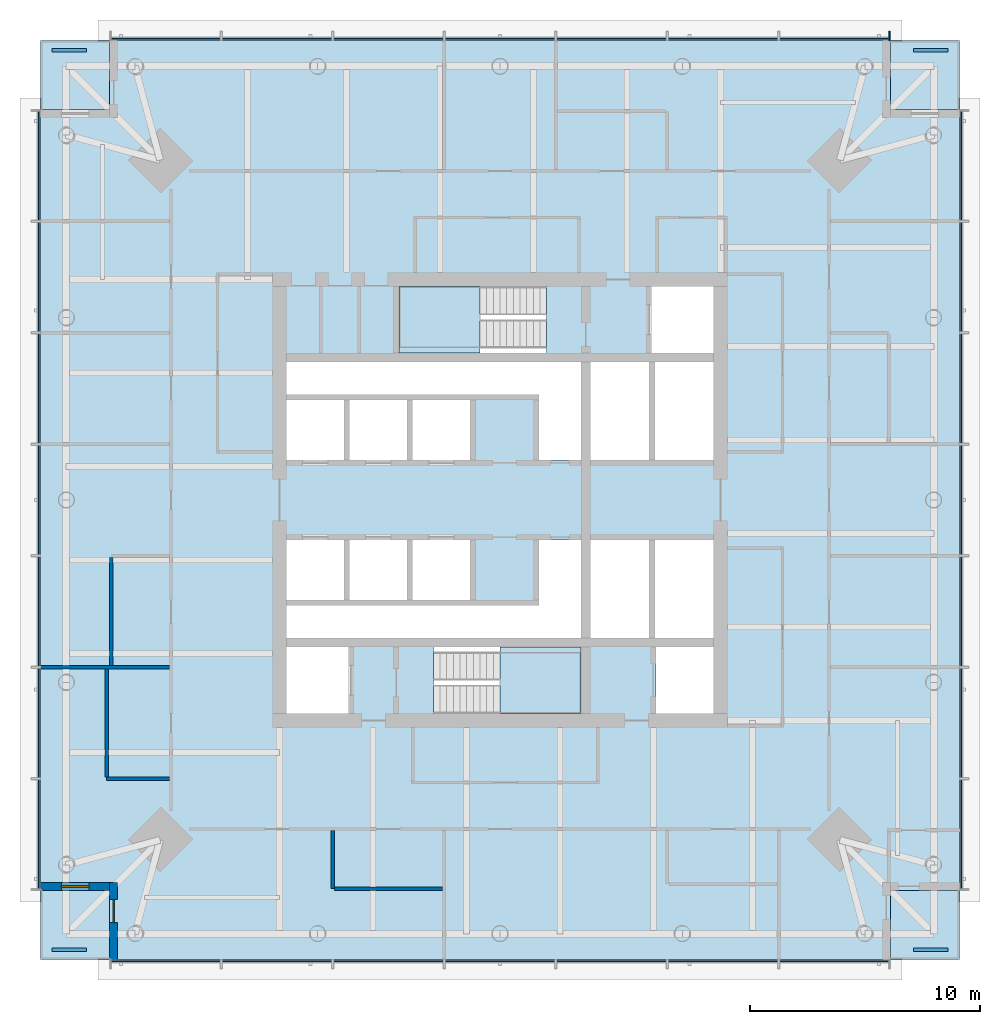
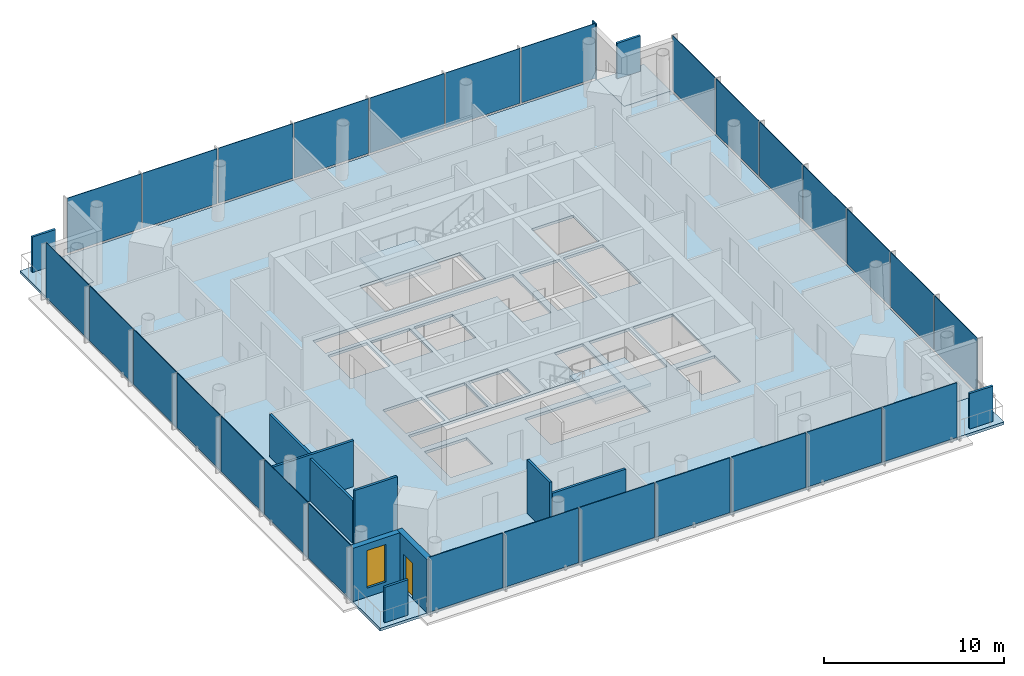
# One storey, part 3 of 10: 32 plates, 8 walls, 7 slabs, 1 door, 1 member, 1 window, 2 openings, 6 elements without a shape of their own.
"""IFC4 building model written with IfcOpenShell, lengths in metres."""

import ifcopenshell
import ifcopenshell.guid

model = None  # the IFC model being written
_history = None  # IfcOwnerHistory: only IFC2X3 demands one
_inside = {}  # id of a spatial element -> (the spatial element, [elements in it])
_under = {}  # id of a project, library or spatial element -> (it, [spatial elements below it])
_declared = {}  # id of a project -> (the project, [libraries it declares])
_typed = {}  # id of a type object -> (the type object, [elements of that type])
_made_of = {}  # id of a material, layer set ... -> (it, [elements and type objects made of it])


def new_model(schema):
    """Start an empty IFC model of exactly this schema.

    Asked for "IFC4X3", IfcOpenShell would pick the latest addendum, in which some entities
    have other attributes; the version numbers below select the first issue.
    IFC2X3 requires an IfcOwnerHistory on every rooted entity: one is made here for all.
    """
    global model, _history
    if schema == "IFC4X3":
        model = ifcopenshell.file(schema_version=(4, 3, 0, 0))
    else:
        model = ifcopenshell.file(schema=schema)
    _inside.clear()
    _under.clear()
    _declared.clear()
    _typed.clear()
    _made_of.clear()
    _history = None
    if model.schema == "IFC2X3":
        org = make("IfcOrganization", Name="unknown")
        user = make(
            "IfcPersonAndOrganization",
            ThePerson=make("IfcPerson", FamilyName="unknown"),
            TheOrganization=org,
        )
        app = make(
            "IfcApplication",
            ApplicationDeveloper=org,
            Version="unknown",
            ApplicationFullName="unknown",
            ApplicationIdentifier="unknown",
        )
        _history = make(
            "IfcOwnerHistory",
            OwningUser=user,
            OwningApplication=app,
            ChangeAction="ADDED",
            CreationDate=0,
        )
    return model


def make(cls, **values):
    """One entity of the class cls with the attributes given. An attribute that is None is left unset."""
    return model.create_entity(
        cls, **{name: value for name, value in values.items() if value is not None}
    )


def rooted(cls, **values):
    """An entity with a GlobalId (a new one), such as an element, a storey or a relation."""
    return make(cls, GlobalId=ifcopenshell.guid.new(), OwnerHistory=_history, **values)


def si_unit(unit_type, name, prefix=None):
    """IfcSIUnit, for example si_unit("LENGTHUNIT", "METRE", prefix="MILLI")."""
    return make("IfcSIUnit", UnitType=unit_type, Prefix=prefix, Name=name)


def assignment(units):
    """IfcUnitAssignment: the units of a project."""
    return None if units is None else make("IfcUnitAssignment", Units=units)


def point(xyz):
    """IfcCartesianPoint."""
    return None if xyz is None else make("IfcCartesianPoint", Coordinates=xyz)


def direction(xyz):
    """IfcDirection."""
    return None if xyz is None else make("IfcDirection", DirectionRatios=xyz)


def frame(location, z_axis=None, x_axis=None):
    """IfcAxis2Placement3D, a coordinate frame: its origin and axes. An axis left out is left unset."""
    return make(
        "IfcAxis2Placement3D",
        Location=point(location),
        Axis=direction(z_axis),
        RefDirection=direction(x_axis),
    )


def frame_2d(location, x_axis=None):
    """IfcAxis2Placement2D, a coordinate frame in the plane: its origin and x axis."""
    return make(
        "IfcAxis2Placement2D", Location=point(location), RefDirection=direction(x_axis)
    )


def origin():
    """The frame at (0, 0, 0) with its axes left unset."""
    return frame((0.0, 0.0, 0.0))


def origin_2d():
    """The frame at (0, 0) in the plane with its x axis left unset."""
    return frame_2d((0.0, 0.0))


def place(relative_to, where):
    """IfcLocalPlacement: puts the frame where relative to a parent placement (None: the world)."""
    return make(
        "IfcLocalPlacement", PlacementRelTo=relative_to, RelativePlacement=where
    )


def context(
    kind, dimensions, precision=None, world=None, true_north=None, identifier=None
):
    """IfcGeometricRepresentationContext, for example the 3D "Model" context."""
    return make(
        "IfcGeometricRepresentationContext",
        ContextIdentifier=identifier,
        ContextType=kind,
        CoordinateSpaceDimension=dimensions,
        Precision=precision,
        WorldCoordinateSystem=world,
        TrueNorth=true_north,
    )


def subcontext(parent, identifier, kind, view, scale=None):
    """IfcGeometricRepresentationSubContext, for example "Body" below "Model"."""
    return make(
        "IfcGeometricRepresentationSubContext",
        ContextIdentifier=identifier,
        ContextType=kind,
        ParentContext=parent,
        TargetScale=scale,
        TargetView=view,
    )


def project(units=None, contexts=None):
    """IfcProject with its units and contexts."""
    return rooted(
        "IfcProject",
        Name="project",
        RepresentationContexts=contexts,
        UnitsInContext=assignment(units),
    )


def spatial(cls, under=None, at=None, **own):
    """A site, building, storey or space (cls), placed at a placement, below another one or the project."""
    s = rooted(cls, ObjectPlacement=at, **own)
    if under is not None:
        _under.setdefault(under.id(), (under, []))[1].append(s)
    return s


def polyline(points):
    """IfcPolyline through the points."""
    return make("IfcPolyline", Points=[point(p) for p in points])


def profile(cls, at=None, kind="AREA", **sizes):
    """A parametric profile (cls). Its sizes go by their IFC names, for example OverallWidth=200.0."""
    return make(cls, ProfileType=kind, Position=at, **sizes)


def rectangle(**sizes):
    """IfcRectangleProfileDef."""
    return profile("IfcRectangleProfileDef", **sizes)


def outline(outer, holes=None, kind="AREA"):
    """IfcArbitraryClosedProfileDef: a profile drawn as a closed curve; with holes, ...WithVoids."""
    if holes is None:
        return make("IfcArbitraryClosedProfileDef", ProfileType=kind, OuterCurve=outer)
    return make(
        "IfcArbitraryProfileDefWithVoids",
        ProfileType=kind,
        OuterCurve=outer,
        InnerCurves=holes,
    )


def extrude(swept, where, along, depth):
    """IfcExtrudedAreaSolid: the profile swept, set in the frame where, extruded along a direction by depth."""
    return make(
        "IfcExtrudedAreaSolid",
        SweptArea=swept,
        Position=where,
        ExtrudedDirection=direction(along),
        Depth=depth,
    )


def shape(context_of_items, identifier, shape_type, items):
    """IfcShapeRepresentation: the items that make up one representation, for example the "Body"."""
    return make(
        "IfcShapeRepresentation",
        ContextOfItems=context_of_items,
        RepresentationIdentifier=identifier,
        RepresentationType=shape_type,
        Items=items,
    )


def material(Name=None, Category=None):
    """IfcMaterial."""
    return make("IfcMaterial", Name=Name, Category=Category)


def layer(
    of_material, thickness, ventilated=None, Name=None, Category=None, Priority=None
):
    """IfcMaterialLayer: one layer of a wall or slab, of a material (None: an air gap)."""
    return make(
        "IfcMaterialLayer",
        Material=of_material,
        LayerThickness=thickness,
        IsVentilated=ventilated,
        Name=Name,
        Category=Category,
        Priority=Priority,
    )


def layer_set(layers, Name=None):
    """IfcMaterialLayerSet."""
    return make("IfcMaterialLayerSet", MaterialLayers=layers, LayerSetName=Name)


def material_profile(
    of_material, cross_section, Name=None, Category=None, Priority=None
):
    """IfcMaterialProfile: a cross section and its material."""
    return make(
        "IfcMaterialProfile",
        Name=Name,
        Material=of_material,
        Profile=cross_section,
        Priority=Priority,
        Category=Category,
    )


def profile_set(profiles, Name=None, composite=None):
    """IfcMaterialProfileSet."""
    return make(
        "IfcMaterialProfileSet",
        Name=Name,
        MaterialProfiles=profiles,
        CompositeProfile=composite,
    )


def made_of(thing, what):
    """Note that an element or type object is made of a material, layer set ...; save() writes the relation."""
    if what is not None:
        _made_of.setdefault(what.id(), (what, []))[1].append(thing)
    return thing


def type_object(cls, material=None, **own):
    """A type object (cls), such as IfcWallType, which elements share."""
    return made_of(rooted(cls, **own), material)


def element(
    cls,
    number,
    at=None,
    inside=None,
    cuts=None,
    type_object=None,
    material=None,
    context=None,
    identifier="Body",
    shape_type=None,
    held_by="IfcProductDefinitionShape",
    body=None,
    shapes=None,
    **own,
):
    """One element of the class cls, such as IfcWall. Its Tag is "e" and its number.

    at: its placement. inside: the storey or other place that contains it. cuts: it is an
    opening in that element (IfcRelVoidsElement). A single representation is given by context,
    identifier, shape_type and body (its items); several are given by shapes. held_by: the class
    of the entity that holds the representations. save() writes the other relations.
    """
    e = rooted(cls, Tag="e%d" % number, ObjectPlacement=at, **own)
    if body is not None:
        shapes = [shape(context, identifier, shape_type, body)]
    if shapes is not None:
        e.Representation = make(held_by, Representations=shapes)
    if inside is not None:
        _inside.setdefault(inside.id(), (inside, []))[1].append(e)
    if cuts is not None:
        rooted(
            "IfcRelVoidsElement", RelatingBuildingElement=cuts, RelatedOpeningElement=e
        )
    if type_object is not None:
        _typed.setdefault(type_object.id(), (type_object, []))[1].append(e)
    return made_of(e, material)


def fill(opening, filler):
    """IfcRelFillsElement: the door or window that sits in an opening."""
    return rooted(
        "IfcRelFillsElement",
        RelatingOpeningElement=opening,
        RelatedBuildingElement=filler,
    )


def aggregate(whole, parts):
    """IfcRelAggregates: a whole, such as a stair, and the parts it consists of."""
    return rooted("IfcRelAggregates", RelatingObject=whole, RelatedObjects=parts)


def save(model, path):
    """Write the relations noted so far, then the file.

    IfcRelAggregates (storeys below a building ...), IfcRelContainedInSpatialStructure (elements
    in a storey), IfcRelDefinesByType, IfcRelAssociatesMaterial and IfcRelDeclares: one each for
    every whole, place, type object, material and project.
    """
    for whole, parts in _under.values():
        aggregate(whole, parts)
    for where, things in _inside.values():
        rooted(
            "IfcRelContainedInSpatialStructure",
            RelatedElements=things,
            RelatingStructure=where,
        )
    for kind, things in _typed.values():
        rooted("IfcRelDefinesByType", RelatedObjects=things, RelatingType=kind)
    for what, things in _made_of.values():
        rooted("IfcRelAssociatesMaterial", RelatedObjects=things, RelatingMaterial=what)
    for by, libraries in _declared.values():
        rooted("IfcRelDeclares", RelatingContext=by, RelatedDefinitions=libraries)
    model.write(path)


model = new_model("IFC4")

# Units and contexts
model_context = context("Model", 3, precision=1e-05, world=origin(), true_north=direction((0.0, 1.0)))
body_context = subcontext(model_context, "Body", "Model", "MODEL_VIEW")
ifc_project = project(units=[si_unit("LENGTHUNIT", "METRE"), si_unit("AREAUNIT", "SQUARE_METRE"), si_unit("VOLUMEUNIT", "CUBIC_METRE"), si_unit("PLANEANGLEUNIT", "RADIAN"), si_unit("MASSUNIT", "GRAM", prefix="KILO")], contexts=[model_context])

# Site, building, storey
site_placement = place(None, origin())
site = spatial("IfcSite", under=ifc_project, at=site_placement, CompositionType="ELEMENT")
building_placement = place(site_placement, origin())
building = spatial("IfcBuilding", under=site, at=building_placement, Name="Ostroluk Exchange", CompositionType="ELEMENT")
storey_placement = place(building_placement, frame((0.0, 0.0, 180.60009765625)))
storey = spatial("IfcBuildingStorey", under=building, at=storey_placement, Name="L46", CompositionType="ELEMENT", Elevation=180.60009765625)

# Curtain wall, member
ifc_material_1 = material(Name="Laminated clear glass", Category="glass")
curtain_wall_type = type_object("IfcCurtainWallType", Name="Office tower facade", PredefinedType="USERDEFINED", material=ifc_material_1)
curtain_wall_1_placement = place(storey_placement, origin())
curtain_wall_1 = element("IfcCurtainWall", 1, at=curtain_wall_1_placement, inside=storey, type_object=curtain_wall_type, Name="Office tower north facade L46", ObjectType="UNITISED CURTAIN WALL", PredefinedType="USERDEFINED")
ifc_material_2 = material(Name="Aluminium mullion with limestone facing", Category="masonry")
ifc_material_profile = material_profile(ifc_material_2, rectangle(XDim=0.39990234375, YDim=0.080078125, at=origin_2d()), Name="Tracery mullion 80 x 400")
ifc_profile_set = profile_set([ifc_material_profile], Name="Aluminium mullion with limestone facing")
member_type = type_object("IfcMemberType", Name="Tracery mullion 80 x 400", PredefinedType="MULLION", material=ifc_profile_set)
member_placement = place(storey_placement, frame((61.9599609375, 66.199951171875, 0.0), z_axis=(0.0, 0.0, 1.0), x_axis=(0.0, -1.0, 0.0)))
member = element("IfcMember", 2, at=member_placement, type_object=member_type, Name="CW-O1 mullion 1", PredefinedType="MULLION", context=body_context, shape_type="SweptSolid", body=[
    extrude(rectangle(XDim=0.39990234375, YDim=0.080078125, at=origin_2d()), origin(), (0.0, 0.0, 1.0), 3.7998046875),
])

# Slabs
ifc_material_3 = material(Name="Concrete C35/45", Category="concrete")
ifc_layer_1 = layer(ifc_material_3, 0.179931640625)
ifc_layer_set_1 = layer_set([ifc_layer_1], Name="Balcony slab 180")
slab_type_1 = type_object("IfcSlabType", Name="Balcony slab 180", PredefinedType="USERDEFINED", material=ifc_layer_set_1)
slab_1_placement = place(storey_placement, frame((0.0, 0.0, -0.18017578125)))
element("IfcSlab", 3, at=slab_1_placement, inside=storey, type_object=slab_type_1, Name="Office tower SE corner balcony L46", ObjectType="BALCONY", PredefinedType="USERDEFINED", context=body_context, shape_type="SweptSolid", body=[
    extrude(outline(polyline([(62.0, 26.0), (65.0, 26.0), (65.0, 29.0), (62.0, 29.0), (62.0, 26.0)])), origin(), (0.0, 0.0, 1.0), 0.18017578125),
])
slab_2_placement = place(storey_placement, frame((0.0, 0.0, -0.18017578125)))
element("IfcSlab", 4, at=slab_2_placement, inside=storey, type_object=slab_type_1, Name="Office tower NE corner balcony L46", ObjectType="BALCONY", PredefinedType="USERDEFINED", context=body_context, shape_type="SweptSolid", body=[
    extrude(outline(polyline([(62.0, 63.0), (65.0, 63.0), (65.0, 66.0), (62.0, 66.0), (62.0, 63.0)])), origin(), (0.0, 0.0, 1.0), 0.18017578125),
])
slab_3_placement = place(storey_placement, frame((0.0, 0.0, -0.18017578125)))
element("IfcSlab", 5, at=slab_3_placement, inside=storey, type_object=slab_type_1, Name="Office tower NW corner balcony L46", ObjectType="BALCONY", PredefinedType="USERDEFINED", context=body_context, shape_type="SweptSolid", body=[
    extrude(outline(polyline([(25.0, 63.0), (28.0, 63.0), (28.0, 66.0), (25.0, 66.0), (25.0, 63.0)])), origin(), (0.0, 0.0, 1.0), 0.18017578125),
])
slab_4_placement = place(storey_placement, frame((0.0, 0.0, -0.18017578125)))
element("IfcSlab", 6, at=slab_4_placement, inside=storey, type_object=slab_type_1, Name="Office tower SW corner balcony L46", ObjectType="BALCONY", PredefinedType="USERDEFINED", context=body_context, shape_type="SweptSolid", body=[
    extrude(outline(polyline([(25.0, 26.0), (28.0, 26.0), (28.0, 29.0), (25.0, 29.0), (25.0, 26.0)])), origin(), (0.0, 0.0, 1.0), 0.18017578125),
])

# Plates
ifc_material_4 = material(Name="Steel S355 trellis with planting", Category="steel")
ifc_layer_2 = layer(ifc_material_4, 0.14990234375)
ifc_layer_set_2 = layer_set([ifc_layer_2], Name="Planted screen 150")
plate_type_1 = type_object("IfcPlateType", Name="Planted screen 150", PredefinedType="USERDEFINED", material=ifc_layer_set_2)
for number, where, z_axis, x_axis, name in (
    (7, (63.75, 26.425048828125, 0.0), (0.0, 0.0, 1.0), (1.0, 0.0, 0.0), "Office tower SE planted screen L46"),
    (8, (63.75, 65.574951171875, 0.0), (0.0, 0.0, 1.0), (1.0, 0.0, 0.0), "Office tower NE planted screen L46"),
    (9, (26.25, 65.574951171875, 0.0), (0.0, 0.0, 1.0), (1.0, 0.0, 0.0), "Office tower NW planted screen L46"),
    (10, (26.25, 26.425048828125, 0.0), (0.0, 0.0, 1.0), (1.0, 0.0, 0.0), "Office tower SW planted screen L46"),
):
    element("IfcPlate", number, at=place(storey_placement, frame(where, z_axis=z_axis, x_axis=x_axis)), inside=storey, type_object=plate_type_1, Name=name, ObjectType="PLANTED SCREEN", PredefinedType="USERDEFINED", context=body_context, shape_type="SweptSolid", body=[
        extrude(rectangle(XDim=1.5, YDim=0.14990234375, at=origin_2d()), origin(), (0.0, 0.0, 1.0), 2.39990234375),
    ])

# Stair, slab
ifc_material_5 = material(Name="Concrete C30/37", Category="concrete")
stair_type = type_object("IfcStairType", Name="Exit stair half turn 3800", PredefinedType="HALF_TURN_STAIR", material=ifc_material_5)
stair_1_placement = place(storey_placement, origin())
stair_1 = element("IfcStair", 11, at=stair_1_placement, inside=storey, type_object=stair_type, Name="Stair T1-S1 L46", PredefinedType="HALF_TURN_STAIR")
ifc_material_6 = material(Name="Concrete C30/37", Category="concrete")
ifc_layer_3 = layer(ifc_material_6, 0.199951171875)
ifc_layer_set_3 = layer_set([ifc_layer_3], Name="Stair landing 200")
slab_type_2 = type_object("IfcSlabType", Name="Stair landing 200", PredefinedType="LANDING", material=ifc_layer_set_3)
slab_5_placement = place(storey_placement, frame((0.0, 0.0, 1.699951171875)))
slab_5 = element("IfcSlab", 12, at=slab_5_placement, type_object=slab_type_2, Name="T1-S1 landing 1", PredefinedType="LANDING", context=body_context, shape_type="SweptSolid", body=[
    extrude(outline(polyline([(45.0, 36.699951171875), (45.0, 39.60009765625), (48.530029296875, 39.60009765625), (48.530029296875, 36.699951171875), (45.0, 36.699951171875)])), origin(), (0.0, 0.0, 1.0), 0.199951171875),
])
aggregate(stair_1, [slab_5])

stair_2_placement = place(storey_placement, origin())
stair_2 = element("IfcStair", 13, at=stair_2_placement, inside=storey, type_object=stair_type, Name="Stair T1-S2 L46", PredefinedType="HALF_TURN_STAIR")
slab_6_placement = place(storey_placement, frame((0.0, 0.0, 1.699951171875)))
slab_6 = element("IfcSlab", 14, at=slab_6_placement, type_object=slab_type_2, Name="T1-S2 landing 1", PredefinedType="LANDING", context=body_context, shape_type="SweptSolid", body=[
    extrude(outline(polyline([(44.1298828125, 52.39990234375), (44.1298828125, 55.300048828125), (40.60009765625, 55.300048828125), (40.60009765625, 52.39990234375), (44.1298828125, 52.39990234375)])), origin(), (0.0, 0.0, 1.0), 0.199951171875),
])
aggregate(stair_2, [slab_6])

# Slab
ifc_material_7 = material(Name="Concrete C35/45", Category="concrete")
ifc_layer_4 = layer(ifc_material_7, 0.179931640625)
ifc_layer_set_4 = layer_set([ifc_layer_4], Name="Tower floor slab 180 composite")
slab_type_3 = type_object("IfcSlabType", Name="Tower floor slab 180 composite", PredefinedType="FLOOR", material=ifc_layer_set_4)
slab_7_placement = place(storey_placement, frame((0.0, 0.0, -0.18017578125)))
element("IfcSlab", 15, at=slab_7_placement, inside=storey, type_object=slab_type_3, Name="Office tower floor slab L46", PredefinedType="FLOOR", context=body_context, shape_type="SweptSolid", body=[
    extrude(outline(polyline([(28.0, 26.0), (62.0, 26.0), (62.0, 29.0), (65.0, 29.0), (65.0, 63.0), (62.0, 63.0), (62.0, 66.0), (28.0, 66.0), (28.0, 63.0), (25.0, 63.0), (25.0, 29.0), (28.0, 29.0), (28.0, 26.0)]), holes=[polyline([(35.699951171875, 36.699951171875), (38.39990234375, 36.699951171875), (38.39990234375, 39.60009765625), (35.699951171875, 39.60009765625), (35.699951171875, 36.699951171875)]), polyline([(42.110107421875, 36.699951171875), (48.530029296875, 36.699951171875), (48.530029296875, 39.60009765625), (42.110107421875, 39.60009765625), (42.110107421875, 36.699951171875)]), polyline([(51.800048828125, 36.699951171875), (54.300048828125, 36.699951171875), (54.300048828125, 39.60009765625), (51.800048828125, 39.60009765625), (51.800048828125, 36.699951171875)]), polyline([(40.60009765625, 52.39990234375), (47.02001953125, 52.39990234375), (47.02001953125, 55.300048828125), (40.60009765625, 55.300048828125), (40.60009765625, 52.39990234375)]), polyline([(51.60009765625, 52.39990234375), (54.300048828125, 52.39990234375), (54.300048828125, 55.300048828125), (51.60009765625, 55.300048828125), (51.60009765625, 52.39990234375)]), polyline([(35.699951171875, 47.75), (38.199951171875, 47.75), (38.199951171875, 50.35009765625), (35.699951171875, 50.35009765625), (35.699951171875, 47.75)]), polyline([(38.449951171875, 47.75), (40.949951171875, 47.75), (40.949951171875, 50.35009765625), (38.449951171875, 50.35009765625), (38.449951171875, 47.75)]), polyline([(41.199951171875, 47.75), (43.699951171875, 47.75), (43.699951171875, 50.35009765625), (41.199951171875, 50.35009765625), (41.199951171875, 47.75)]), polyline([(35.699951171875, 41.64990234375), (38.199951171875, 41.64990234375), (38.199951171875, 44.25), (35.699951171875, 44.25), (35.699951171875, 41.64990234375)]), polyline([(38.449951171875, 41.64990234375), (40.949951171875, 41.64990234375), (40.949951171875, 44.25), (38.449951171875, 44.25), (38.449951171875, 41.64990234375)]), polyline([(41.199951171875, 41.64990234375), (43.699951171875, 41.64990234375), (43.699951171875, 44.25), (41.199951171875, 44.25), (41.199951171875, 41.64990234375)]), polyline([(48.929931640625, 47.75), (51.489990234375, 47.75), (51.489990234375, 52.0), (48.929931640625, 52.0), (48.929931640625, 47.75)]), polyline([(51.739990234375, 47.75), (54.300048828125, 47.75), (54.300048828125, 52.0), (51.739990234375, 52.0), (51.739990234375, 47.75)]), polyline([(48.929931640625, 40.0), (51.489990234375, 40.0), (51.489990234375, 44.25), (48.929931640625, 44.25), (48.929931640625, 40.0)]), polyline([(51.739990234375, 40.0), (54.300048828125, 40.0), (54.300048828125, 44.25), (51.739990234375, 44.25), (51.739990234375, 40.0)]), polyline([(48.530029296875, 52.0), (48.530029296875, 47.75), (46.699951171875, 47.75), (46.699951171875, 50.60009765625), (35.699951171875, 50.60009765625), (35.699951171875, 52.0), (48.530029296875, 52.0)]), polyline([(35.699951171875, 40.0), (35.699951171875, 41.39990234375), (46.699951171875, 41.39990234375), (46.699951171875, 44.25), (48.530029296875, 44.25), (48.530029296875, 40.0), (35.699951171875, 40.0)])]), origin(), (0.0, 0.0, 1.0), 0.18017578125),
])

# Curtain wall, plates
curtain_wall_2_placement = place(storey_placement, origin())
curtain_wall_2 = element("IfcCurtainWall", 16, at=curtain_wall_2_placement, inside=storey, type_object=curtain_wall_type, Name="Office tower south facade L46", ObjectType="UNITISED CURTAIN WALL", PredefinedType="USERDEFINED")
ifc_material_8 = material(Name="Laminated clear glass", Category="glass")
ifc_layer_5 = layer(ifc_material_8, 0.0439453125)
ifc_layer_set_5 = layer_set([ifc_layer_5], Name="Triple laminated clear glazing 44")
plate_type_2 = type_object("IfcPlateType", Name="Triple laminated clear glazing 44", PredefinedType="CURTAIN_PANEL", material=ifc_layer_set_5)
plate_1_placement = place(storey_placement, frame((30.448486328125, 25.925048828125, 0.080078125), z_axis=(0.0, 0.0, 1.0), x_axis=(1.0, 0.0, 0.0)))
plate_1 = element("IfcPlate", 17, at=plate_1_placement, type_object=plate_type_2, Name="CW-O1 panel 1.1", PredefinedType="CURTAIN_PANEL", context=body_context, shape_type="SweptSolid", body=[
    extrude(rectangle(XDim=4.737060546875, YDim=0.0439453125, at=origin_2d()), origin(), (0.0, 0.0, 1.0), 3.719970703125),
])
plate_2_placement = place(storey_placement, frame((35.28564453125, 25.925048828125, 0.080078125), z_axis=(0.0, 0.0, 1.0), x_axis=(1.0, 0.0, 0.0)))
plate_2 = element("IfcPlate", 18, at=plate_2_placement, type_object=plate_type_2, Name="CW-O1 panel 2.1", PredefinedType="CURTAIN_PANEL", context=body_context, shape_type="SweptSolid", body=[
    extrude(rectangle(XDim=4.777099609375, YDim=0.0439453125, at=origin_2d()), origin(), (0.0, 0.0, 1.0), 3.719970703125),
])
plate_3_placement = place(storey_placement, frame((40.142822265625, 25.925048828125, 0.080078125), z_axis=(0.0, 0.0, 1.0), x_axis=(1.0, 0.0, 0.0)))
plate_3 = element("IfcPlate", 19, at=plate_3_placement, type_object=plate_type_2, Name="CW-O1 panel 3.1", PredefinedType="CURTAIN_PANEL", context=body_context, shape_type="SweptSolid", body=[
    extrude(rectangle(XDim=4.777099609375, YDim=0.0439453125, at=origin_2d()), origin(), (0.0, 0.0, 1.0), 3.719970703125),
])
plate_4_placement = place(storey_placement, frame((45.0, 25.925048828125, 0.080078125), z_axis=(0.0, 0.0, 1.0), x_axis=(1.0, 0.0, 0.0)))
plate_4 = element("IfcPlate", 20, at=plate_4_placement, type_object=plate_type_2, Name="CW-O1 panel 4.1", PredefinedType="CURTAIN_PANEL", context=body_context, shape_type="SweptSolid", body=[
    extrude(rectangle(XDim=4.777099609375, YDim=0.0439453125, at=origin_2d()), origin(), (0.0, 0.0, 1.0), 3.719970703125),
])
plate_5_placement = place(storey_placement, frame((49.857177734375, 25.925048828125, 0.080078125), z_axis=(0.0, 0.0, 1.0), x_axis=(1.0, 0.0, 0.0)))
plate_5 = element("IfcPlate", 21, at=plate_5_placement, type_object=plate_type_2, Name="CW-O1 panel 5.1", PredefinedType="CURTAIN_PANEL", context=body_context, shape_type="SweptSolid", body=[
    extrude(rectangle(XDim=4.777099609375, YDim=0.0439453125, at=origin_2d()), origin(), (0.0, 0.0, 1.0), 3.719970703125),
])
plate_6_placement = place(storey_placement, frame((54.71435546875, 25.925048828125, 0.080078125), z_axis=(0.0, 0.0, 1.0), x_axis=(1.0, 0.0, 0.0)))
plate_6 = element("IfcPlate", 22, at=plate_6_placement, type_object=plate_type_2, Name="CW-O1 panel 6.1", PredefinedType="CURTAIN_PANEL", context=body_context, shape_type="SweptSolid", body=[
    extrude(rectangle(XDim=4.777099609375, YDim=0.0439453125, at=origin_2d()), origin(), (0.0, 0.0, 1.0), 3.719970703125),
])
plate_7_placement = place(storey_placement, frame((59.551513671875, 25.925048828125, 0.080078125), z_axis=(0.0, 0.0, 1.0), x_axis=(1.0, 0.0, 0.0)))
plate_7 = element("IfcPlate", 23, at=plate_7_placement, type_object=plate_type_2, Name="CW-O1 panel 7.1", PredefinedType="CURTAIN_PANEL", context=body_context, shape_type="SweptSolid", body=[
    extrude(rectangle(XDim=4.737060546875, YDim=0.0439453125, at=origin_2d()), origin(), (0.0, 0.0, 1.0), 3.719970703125),
])
aggregate(curtain_wall_2, [plate_1, plate_2, plate_3, plate_4, plate_5, plate_6, plate_7])

curtain_wall_3_placement = place(storey_placement, origin())
curtain_wall_3 = element("IfcCurtainWall", 24, at=curtain_wall_3_placement, inside=storey, type_object=curtain_wall_type, Name="Office tower east facade L46", ObjectType="UNITISED CURTAIN WALL", PredefinedType="USERDEFINED")
plate_8_placement = place(storey_placement, frame((65.074951171875, 31.448486328125, 0.080078125), z_axis=(0.0, 0.0, 1.0), x_axis=(0.0, 1.0, 0.0)))
plate_8 = element("IfcPlate", 25, at=plate_8_placement, type_object=plate_type_2, Name="CW-O1 panel 1.1", PredefinedType="CURTAIN_PANEL", context=body_context, shape_type="SweptSolid", body=[
    extrude(rectangle(XDim=4.737060546875, YDim=0.0439453125, at=origin_2d()), origin(), (0.0, 0.0, 1.0), 3.719970703125),
])
plate_9_placement = place(storey_placement, frame((65.074951171875, 36.28564453125, 0.080078125), z_axis=(0.0, 0.0, 1.0), x_axis=(0.0, 1.0, 0.0)))
plate_9 = element("IfcPlate", 26, at=plate_9_placement, type_object=plate_type_2, Name="CW-O1 panel 2.1", PredefinedType="CURTAIN_PANEL", context=body_context, shape_type="SweptSolid", body=[
    extrude(rectangle(XDim=4.777099609375, YDim=0.0439453125, at=origin_2d()), origin(), (0.0, 0.0, 1.0), 3.719970703125),
])
plate_10_placement = place(storey_placement, frame((65.074951171875, 41.142822265625, 0.080078125), z_axis=(0.0, 0.0, 1.0), x_axis=(0.0, 1.0, 0.0)))
plate_10 = element("IfcPlate", 27, at=plate_10_placement, type_object=plate_type_2, Name="CW-O1 panel 3.1", PredefinedType="CURTAIN_PANEL", context=body_context, shape_type="SweptSolid", body=[
    extrude(rectangle(XDim=4.777099609375, YDim=0.0439453125, at=origin_2d()), origin(), (0.0, 0.0, 1.0), 3.719970703125),
])
plate_11_placement = place(storey_placement, frame((65.074951171875, 46.0, 0.080078125), z_axis=(0.0, 0.0, 1.0), x_axis=(0.0, 1.0, 0.0)))
plate_11 = element("IfcPlate", 28, at=plate_11_placement, type_object=plate_type_2, Name="CW-O1 panel 4.1", PredefinedType="CURTAIN_PANEL", context=body_context, shape_type="SweptSolid", body=[
    extrude(rectangle(XDim=4.777099609375, YDim=0.0439453125, at=origin_2d()), origin(), (0.0, 0.0, 1.0), 3.719970703125),
])
plate_12_placement = place(storey_placement, frame((65.074951171875, 50.857177734375, 0.080078125), z_axis=(0.0, 0.0, 1.0), x_axis=(0.0, 1.0, 0.0)))
plate_12 = element("IfcPlate", 29, at=plate_12_placement, type_object=plate_type_2, Name="CW-O1 panel 5.1", PredefinedType="CURTAIN_PANEL", context=body_context, shape_type="SweptSolid", body=[
    extrude(rectangle(XDim=4.777099609375, YDim=0.0439453125, at=origin_2d()), origin(), (0.0, 0.0, 1.0), 3.719970703125),
])
plate_13_placement = place(storey_placement, frame((65.074951171875, 55.71435546875, 0.080078125), z_axis=(0.0, 0.0, 1.0), x_axis=(0.0, 1.0, 0.0)))
plate_13 = element("IfcPlate", 30, at=plate_13_placement, type_object=plate_type_2, Name="CW-O1 panel 6.1", PredefinedType="CURTAIN_PANEL", context=body_context, shape_type="SweptSolid", body=[
    extrude(rectangle(XDim=4.777099609375, YDim=0.0439453125, at=origin_2d()), origin(), (0.0, 0.0, 1.0), 3.719970703125),
])
plate_14_placement = place(storey_placement, frame((65.074951171875, 60.551513671875, 0.080078125), z_axis=(0.0, 0.0, 1.0), x_axis=(0.0, 1.0, 0.0)))
plate_14 = element("IfcPlate", 31, at=plate_14_placement, type_object=plate_type_2, Name="CW-O1 panel 7.1", PredefinedType="CURTAIN_PANEL", context=body_context, shape_type="SweptSolid", body=[
    extrude(rectangle(XDim=4.737060546875, YDim=0.0439453125, at=origin_2d()), origin(), (0.0, 0.0, 1.0), 3.719970703125),
])
aggregate(curtain_wall_3, [plate_8, plate_9, plate_10, plate_11, plate_12, plate_13, plate_14])

# Plate
plate_15_placement = place(storey_placement, frame((59.551513671875, 66.074951171875, 0.080078125), z_axis=(0.0, 0.0, 1.0), x_axis=(-1.0, 0.0, 0.0)))
plate_15 = element("IfcPlate", 32, at=plate_15_placement, type_object=plate_type_2, Name="CW-O1 panel 1.1", PredefinedType="CURTAIN_PANEL", context=body_context, shape_type="SweptSolid", body=[
    extrude(rectangle(XDim=4.737060546875, YDim=0.0439453125, at=origin_2d()), origin(), (0.0, 0.0, 1.0), 3.719970703125),
])

plate_16_placement = place(storey_placement, frame((54.71435546875, 66.074951171875, 0.080078125), z_axis=(0.0, 0.0, 1.0), x_axis=(-1.0, 0.0, 0.0)))
plate_16 = element("IfcPlate", 33, at=plate_16_placement, type_object=plate_type_2, Name="CW-O1 panel 2.1", PredefinedType="CURTAIN_PANEL", context=body_context, shape_type="SweptSolid", body=[
    extrude(rectangle(XDim=4.777099609375, YDim=0.0439453125, at=origin_2d()), origin(), (0.0, 0.0, 1.0), 3.719970703125),
])

plate_17_placement = place(storey_placement, frame((49.857177734375, 66.074951171875, 0.080078125), z_axis=(0.0, 0.0, 1.0), x_axis=(-1.0, 0.0, 0.0)))
plate_17 = element("IfcPlate", 34, at=plate_17_placement, type_object=plate_type_2, Name="CW-O1 panel 3.1", PredefinedType="CURTAIN_PANEL", context=body_context, shape_type="SweptSolid", body=[
    extrude(rectangle(XDim=4.777099609375, YDim=0.0439453125, at=origin_2d()), origin(), (0.0, 0.0, 1.0), 3.719970703125),
])

plate_18_placement = place(storey_placement, frame((45.0, 66.074951171875, 0.080078125), z_axis=(0.0, 0.0, 1.0), x_axis=(-1.0, 0.0, 0.0)))
plate_18 = element("IfcPlate", 35, at=plate_18_placement, type_object=plate_type_2, Name="CW-O1 panel 4.1", PredefinedType="CURTAIN_PANEL", context=body_context, shape_type="SweptSolid", body=[
    extrude(rectangle(XDim=4.777099609375, YDim=0.0439453125, at=origin_2d()), origin(), (0.0, 0.0, 1.0), 3.719970703125),
])

plate_19_placement = place(storey_placement, frame((40.142822265625, 66.074951171875, 0.080078125), z_axis=(0.0, 0.0, 1.0), x_axis=(-1.0, 0.0, 0.0)))
plate_19 = element("IfcPlate", 36, at=plate_19_placement, type_object=plate_type_2, Name="CW-O1 panel 5.1", PredefinedType="CURTAIN_PANEL", context=body_context, shape_type="SweptSolid", body=[
    extrude(rectangle(XDim=4.777099609375, YDim=0.0439453125, at=origin_2d()), origin(), (0.0, 0.0, 1.0), 3.719970703125),
])

plate_20_placement = place(storey_placement, frame((35.28564453125, 66.074951171875, 0.080078125), z_axis=(0.0, 0.0, 1.0), x_axis=(-1.0, 0.0, 0.0)))
plate_20 = element("IfcPlate", 37, at=plate_20_placement, type_object=plate_type_2, Name="CW-O1 panel 6.1", PredefinedType="CURTAIN_PANEL", context=body_context, shape_type="SweptSolid", body=[
    extrude(rectangle(XDim=4.777099609375, YDim=0.0439453125, at=origin_2d()), origin(), (0.0, 0.0, 1.0), 3.719970703125),
])

plate_21_placement = place(storey_placement, frame((30.448486328125, 66.074951171875, 0.080078125), z_axis=(0.0, 0.0, 1.0), x_axis=(-1.0, 0.0, 0.0)))
plate_21 = element("IfcPlate", 38, at=plate_21_placement, type_object=plate_type_2, Name="CW-O1 panel 7.1", PredefinedType="CURTAIN_PANEL", context=body_context, shape_type="SweptSolid", body=[
    extrude(rectangle(XDim=4.737060546875, YDim=0.0439453125, at=origin_2d()), origin(), (0.0, 0.0, 1.0), 3.719970703125),
])

aggregate(curtain_wall_1, [member, plate_15, plate_16, plate_17, plate_18, plate_19, plate_20, plate_21])

# Curtain wall, plates
curtain_wall_4_placement = place(storey_placement, origin())
curtain_wall_4 = element("IfcCurtainWall", 39, at=curtain_wall_4_placement, inside=storey, type_object=curtain_wall_type, Name="Office tower west facade L46", ObjectType="UNITISED CURTAIN WALL", PredefinedType="USERDEFINED")
plate_22_placement = place(storey_placement, frame((24.925048828125, 60.551513671875, 0.080078125), z_axis=(0.0, 0.0, 1.0), x_axis=(0.0, -1.0, 0.0)))
plate_22 = element("IfcPlate", 40, at=plate_22_placement, type_object=plate_type_2, Name="CW-O1 panel 1.1", PredefinedType="CURTAIN_PANEL", context=body_context, shape_type="SweptSolid", body=[
    extrude(rectangle(XDim=4.737060546875, YDim=0.0439453125, at=origin_2d()), origin(), (0.0, 0.0, 1.0), 3.719970703125),
])
plate_23_placement = place(storey_placement, frame((24.925048828125, 55.71435546875, 0.080078125), z_axis=(0.0, 0.0, 1.0), x_axis=(0.0, -1.0, 0.0)))
plate_23 = element("IfcPlate", 41, at=plate_23_placement, type_object=plate_type_2, Name="CW-O1 panel 2.1", PredefinedType="CURTAIN_PANEL", context=body_context, shape_type="SweptSolid", body=[
    extrude(rectangle(XDim=4.777099609375, YDim=0.0439453125, at=origin_2d()), origin(), (0.0, 0.0, 1.0), 3.719970703125),
])
plate_24_placement = place(storey_placement, frame((24.925048828125, 50.857177734375, 0.080078125), z_axis=(0.0, 0.0, 1.0), x_axis=(0.0, -1.0, 0.0)))
plate_24 = element("IfcPlate", 42, at=plate_24_placement, type_object=plate_type_2, Name="CW-O1 panel 3.1", PredefinedType="CURTAIN_PANEL", context=body_context, shape_type="SweptSolid", body=[
    extrude(rectangle(XDim=4.777099609375, YDim=0.0439453125, at=origin_2d()), origin(), (0.0, 0.0, 1.0), 3.719970703125),
])
plate_25_placement = place(storey_placement, frame((24.925048828125, 46.0, 0.080078125), z_axis=(0.0, 0.0, 1.0), x_axis=(0.0, -1.0, 0.0)))
plate_25 = element("IfcPlate", 43, at=plate_25_placement, type_object=plate_type_2, Name="CW-O1 panel 4.1", PredefinedType="CURTAIN_PANEL", context=body_context, shape_type="SweptSolid", body=[
    extrude(rectangle(XDim=4.777099609375, YDim=0.0439453125, at=origin_2d()), origin(), (0.0, 0.0, 1.0), 3.719970703125),
])
plate_26_placement = place(storey_placement, frame((24.925048828125, 41.142822265625, 0.080078125), z_axis=(0.0, 0.0, 1.0), x_axis=(0.0, -1.0, 0.0)))
plate_26 = element("IfcPlate", 44, at=plate_26_placement, type_object=plate_type_2, Name="CW-O1 panel 5.1", PredefinedType="CURTAIN_PANEL", context=body_context, shape_type="SweptSolid", body=[
    extrude(rectangle(XDim=4.777099609375, YDim=0.0439453125, at=origin_2d()), origin(), (0.0, 0.0, 1.0), 3.719970703125),
])
plate_27_placement = place(storey_placement, frame((24.925048828125, 36.28564453125, 0.080078125), z_axis=(0.0, 0.0, 1.0), x_axis=(0.0, -1.0, 0.0)))
plate_27 = element("IfcPlate", 45, at=plate_27_placement, type_object=plate_type_2, Name="CW-O1 panel 6.1", PredefinedType="CURTAIN_PANEL", context=body_context, shape_type="SweptSolid", body=[
    extrude(rectangle(XDim=4.777099609375, YDim=0.0439453125, at=origin_2d()), origin(), (0.0, 0.0, 1.0), 3.719970703125),
])
plate_28_placement = place(storey_placement, frame((24.925048828125, 31.448486328125, 0.080078125), z_axis=(0.0, 0.0, 1.0), x_axis=(0.0, -1.0, 0.0)))
plate_28 = element("IfcPlate", 46, at=plate_28_placement, type_object=plate_type_2, Name="CW-O1 panel 7.1", PredefinedType="CURTAIN_PANEL", context=body_context, shape_type="SweptSolid", body=[
    extrude(rectangle(XDim=4.737060546875, YDim=0.0439453125, at=origin_2d()), origin(), (0.0, 0.0, 1.0), 3.719970703125),
])
aggregate(curtain_wall_4, [plate_22, plate_23, plate_24, plate_25, plate_26, plate_27, plate_28])

# Wall, opening, door
ifc_material_9 = material(Name="Limestone", Category="masonry")
ifc_layer_6 = layer(ifc_material_9, 0.35009765625)
ifc_layer_set_6 = layer_set([ifc_layer_6], Name="Limestone facade wall 350")
wall_type_1 = type_object("IfcWallType", Name="Limestone facade wall 350", PredefinedType="SOLIDWALL", material=ifc_layer_set_6)
wall_1_placement = place(storey_placement, frame((28.175048828125, 26.0, 0.0), z_axis=(0.0, 0.0, 1.0), x_axis=(0.0, 1.0, 0.0)))
wall_1 = element("IfcWall", 47, at=wall_1_placement, inside=storey, type_object=wall_type_1, Name="Office tower SW corner wall L46 a", PredefinedType="SOLIDWALL", context=body_context, shape_type="SweptSolid", body=[
    extrude(rectangle(XDim=3.35009765625, YDim=0.35009765625, at=frame_2d((1.675048828125, 0.0))), origin(), (0.0, 0.0, 1.0), 3.619873046875),
])
opening_1_placement = place(wall_1_placement, frame((1.60009765625, 0.0, 0.0)))
opening_1 = element("IfcOpeningElement", 48, at=opening_1_placement, cuts=wall_1, Name="Opening D-B1", PredefinedType="OPENING", context=body_context, shape_type="SweptSolid", body=[
    extrude(rectangle(XDim=1.0, YDim=2.39990234375, at=frame_2d((0.5, 1.199951171875))), frame((0.0, 0.18505859375, 0.0), z_axis=(0.0, -1.0, 0.0), x_axis=(1.0, 0.0, 0.0)), (0.0, 0.0, 1.0), 0.3701171875),
])
ifc_material_10 = material(Name="Bronze framed glazed door", Category="aluminium")
door_type = type_object("IfcDoorType", Name="Balcony door 1000 x 2400", OperationType="SINGLE_SWING_LEFT", PredefinedType="DOOR", material=ifc_material_10)
door_placement = place(opening_1_placement, origin())
door = element("IfcDoor", 49, at=door_placement, inside=storey, type_object=door_type, Name="Office tower SW balcony door L46", OperationType="SINGLE_SWING_RIGHT", OverallHeight=2.39990234375, OverallWidth=1.0, PredefinedType="DOOR", context=body_context, shape_type="SweptSolid", body=[
    extrude(rectangle(XDim=1.0, YDim=2.39990234375, at=frame_2d((0.5, 1.199951171875))), frame((0.0, 0.02490234375, 0.0), z_axis=(0.0, -1.0, 0.0), x_axis=(1.0, 0.0, 0.0)), (0.0, 0.0, 1.0), 0.050048828125),
])
fill(opening_1, door)

# Wall, opening, window
wall_2_placement = place(storey_placement, frame((28.0, 29.175048828125, 0.0), z_axis=(0.0, 0.0, 1.0), x_axis=(-1.0, 0.0, 0.0)))
wall_2 = element("IfcWall", 50, at=wall_2_placement, inside=storey, type_object=wall_type_1, Name="Office tower SW corner wall L46 b", PredefinedType="SOLIDWALL", context=body_context, shape_type="SweptSolid", body=[
    extrude(rectangle(XDim=3.0, YDim=0.35009765625, at=frame_2d((1.5, 0.0))), origin(), (0.0, 0.0, 1.0), 3.619873046875),
])
opening_2_placement = place(wall_2_placement, frame((0.89990234375, 0.0, 0.60009765625)))
opening_2 = element("IfcOpeningElement", 51, at=opening_2_placement, cuts=wall_2, Name="Opening WN-L1", PredefinedType="OPENING", context=body_context, shape_type="SweptSolid", body=[
    extrude(rectangle(XDim=1.199951171875, YDim=2.550048828125, at=frame_2d((0.60009765625, 1.27490234375))), frame((0.0, 0.18505859375, 0.0), z_axis=(0.0, -1.0, 0.0), x_axis=(1.0, 0.0, 0.0)), (0.0, 0.0, 1.0), 0.3701171875),
])
ifc_material_11 = material(Name="Laminated clear glass", Category="glass")
window_type = type_object("IfcWindowType", Name="Lancet window 1200 x 2550", PartitioningType="SINGLE_PANEL", PredefinedType="WINDOW", material=ifc_material_11)
window_placement = place(opening_2_placement, origin())
window = element("IfcWindow", 52, at=window_placement, inside=storey, type_object=window_type, Name="Office tower SW lancet window L46", OverallHeight=2.550048828125, OverallWidth=1.199951171875, PartitioningType="SINGLE_PANEL", PredefinedType="WINDOW", context=body_context, shape_type="SweptSolid", body=[
    extrude(rectangle(XDim=1.199951171875, YDim=2.550048828125, at=frame_2d((0.60009765625, 1.27490234375))), frame((0.0, 0.030029296875, 0.0), z_axis=(0.0, -1.0, 0.0), x_axis=(1.0, 0.0, 0.0)), (0.0, 0.0, 1.0), 0.06005859375),
])
fill(opening_2, window)

# Walls
ifc_material_12 = material(Name="Gypsum plasterboard partition", Category="gypsum")
ifc_layer_7 = layer(ifc_material_12, 0.14990234375)
ifc_layer_set_7 = layer_set([ifc_layer_7], Name="Plasterboard partition 150")
wall_type_2 = type_object("IfcWallType", Name="Plasterboard partition 150", PredefinedType="PARTITIONING", material=ifc_layer_set_7)
wall_3_placement = place(storey_placement, frame((30.60009765625, 38.71435546875, 0.0), z_axis=(0.0, 0.0, 1.0), x_axis=(-1.0, 0.0, 0.0)))
element("IfcWall", 53, at=wall_3_placement, inside=storey, type_object=wall_type_2, Name="Partition", PredefinedType="PARTITIONING", context=body_context, shape_type="SweptSolid", body=[
    extrude(rectangle(XDim=5.64013671875, YDim=0.14990234375, at=frame_2d((2.820068359375, 0.0))), origin(), (0.0, 0.0, 1.0), 3.119873046875),
])
wall_4_placement = place(storey_placement, frame((30.60009765625, 33.857177734375, 0.0), z_axis=(0.0, 0.0, 1.0), x_axis=(-1.0, 0.0, 0.0)))
element("IfcWall", 54, at=wall_4_placement, inside=storey, type_object=wall_type_2, Name="Partition", PredefinedType="PARTITIONING", context=body_context, shape_type="SweptSolid", body=[
    extrude(rectangle(XDim=2.72509765625, YDim=0.14990234375, at=frame_2d((1.362548828125, 0.0))), origin(), (0.0, 0.0, 1.0), 3.619873046875),
])
wall_5_placement = place(storey_placement, frame((37.789306640625, 29.074951171875, 0.0), z_axis=(0.0, 0.0, 1.0), x_axis=(1.0, 0.0, 0.0)))
element("IfcWall", 55, at=wall_5_placement, inside=storey, type_object=wall_type_2, Name="Partition", PredefinedType="PARTITIONING", context=body_context, shape_type="SweptSolid", body=[
    extrude(rectangle(XDim=4.70703125, YDim=0.14990234375, at=frame_2d((2.353515625, 0.0))), origin(), (0.0, 0.0, 1.0), 2.866943359375),
])
wall_6_placement = place(storey_placement, frame((37.71435546875, 31.60009765625, 0.0), z_axis=(0.0, 0.0, 1.0), x_axis=(0.0, -1.0, 0.0)))
element("IfcWall", 56, at=wall_6_placement, inside=storey, type_object=wall_type_2, Name="Partition", PredefinedType="PARTITIONING", context=body_context, shape_type="SweptSolid", body=[
    extrude(rectangle(XDim=2.525146484375, YDim=0.14990234375, at=frame_2d((1.2626953125, 0.0))), origin(), (0.0, 0.0, 1.0), 3.619873046875),
])
ifc_material_13 = material(Name="Gypsum plasterboard partition, moisture resistant", Category="gypsum")
ifc_layer_8 = layer(ifc_material_13, 0.14990234375)
ifc_layer_set_8 = layer_set([ifc_layer_8], Name="Plasterboard toilet partition 150")
wall_type_3 = type_object("IfcWallType", Name="Plasterboard toilet partition 150", PredefinedType="PARTITIONING", material=ifc_layer_set_8)
wall_7_placement = place(storey_placement, frame((28.074951171875, 43.496337890625, 0.0), z_axis=(0.0, 0.0, 1.0), x_axis=(0.0, -1.0, 0.0)))
element("IfcWall", 57, at=wall_7_placement, inside=storey, type_object=wall_type_3, Name="Toilet partition", PredefinedType="PARTITIONING", context=body_context, shape_type="SweptSolid", body=[
    extrude(rectangle(XDim=4.70703125, YDim=0.14990234375, at=frame_2d((2.353515625, 0.0))), origin(), (0.0, 0.0, 1.0), 2.866943359375),
])
wall_8_placement = place(storey_placement, frame((27.875, 38.639404296875, 0.0), z_axis=(0.0, 0.0, 1.0), x_axis=(0.0, -1.0, 0.0)))
element("IfcWall", 58, at=wall_8_placement, inside=storey, type_object=wall_type_3, Name="Toilet partition", PredefinedType="PARTITIONING", context=body_context, shape_type="SweptSolid", body=[
    extrude(rectangle(XDim=4.707275390625, YDim=0.14990234375, at=frame_2d((2.353515625, 0.0))), origin(), (0.0, 0.0, 1.0), 2.866943359375),
])

save(model, "model.ifc")
